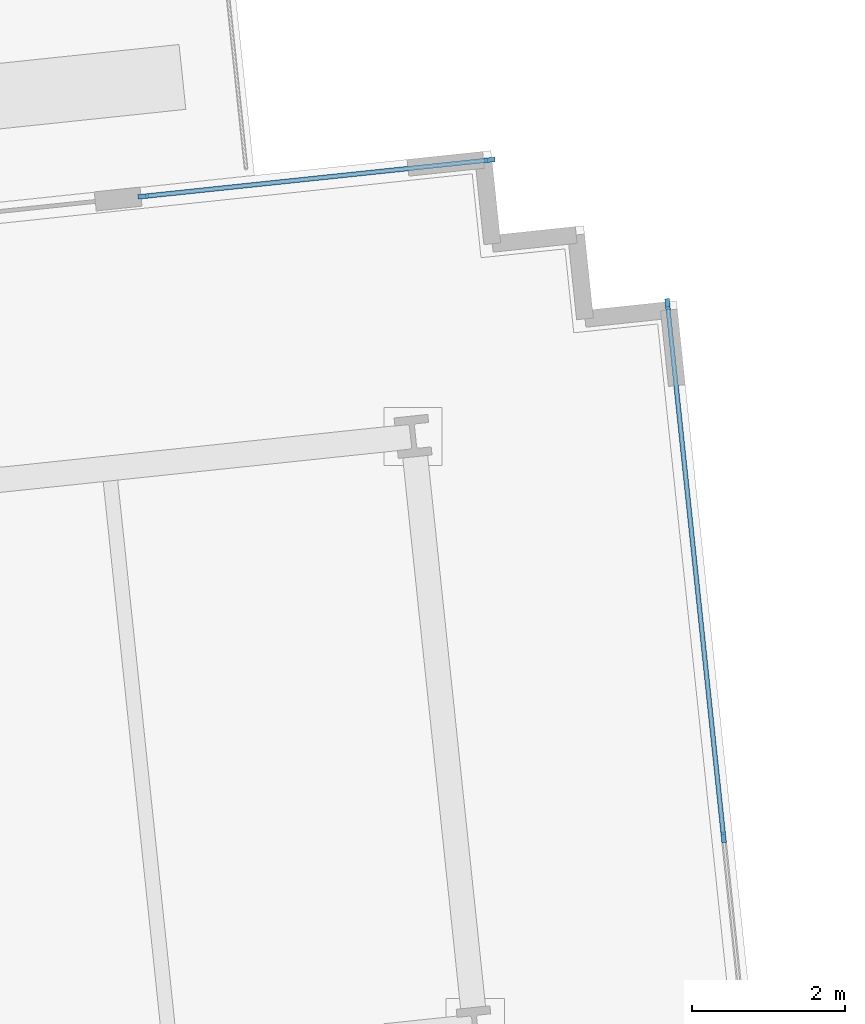
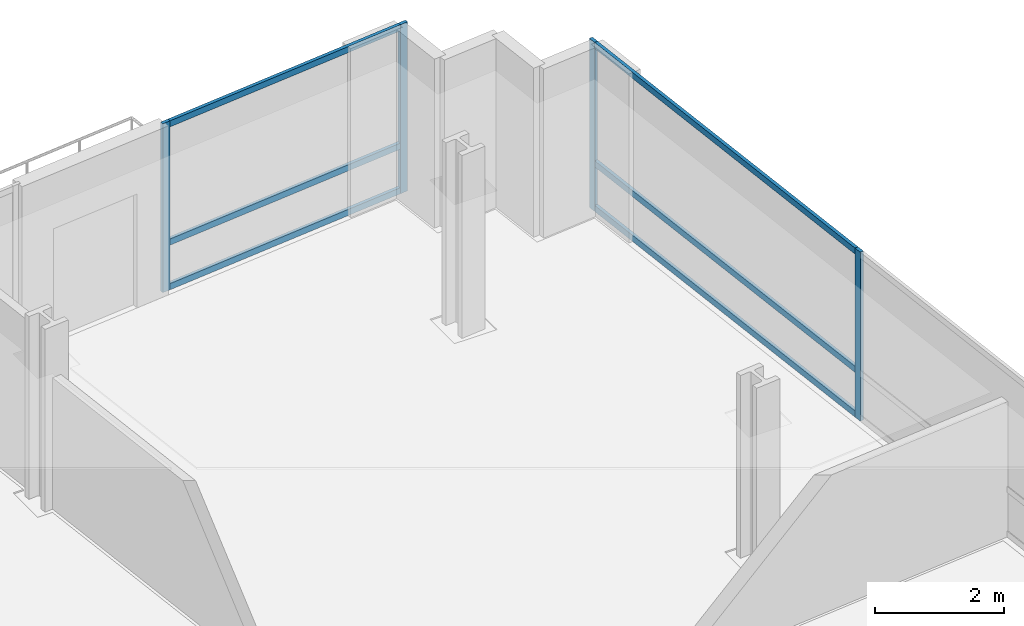
# One storey, part 11 of 21: 10 members, 2 elements without a shape of their own.
"""IFC4 building model written with IfcOpenShell, lengths in metres."""

from ifc_helpers import new_model, si_unit, direction, frame, origin, origin_2d, place, context, subcontext, project, spatial, rectangle, extrude, material, material_profile, profile_set, type_object, element, aggregate, save


model = new_model("IFC4")

# Units and contexts
model_context = context("Model", 3, precision=1e-05, world=origin(), true_north=direction((0.0, 1.0)))
body_context = subcontext(model_context, "Body", "Model", "MODEL_VIEW")
ifc_project = project(units=[si_unit("LENGTHUNIT", "METRE"), si_unit("AREAUNIT", "SQUARE_METRE"), si_unit("VOLUMEUNIT", "CUBIC_METRE"), si_unit("PLANEANGLEUNIT", "RADIAN"), si_unit("MASSUNIT", "GRAM", prefix="KILO")], contexts=[model_context])

# Site, building, storey
site_placement = place(None, origin())
site = spatial("IfcSite", under=ifc_project, at=site_placement, CompositionType="ELEMENT")
building_placement = place(site_placement, origin())
building = spatial("IfcBuilding", under=site, at=building_placement, Name="Solmavex Isthmus Hotel", CompositionType="ELEMENT")
storey_placement = place(building_placement, frame((0.0, 0.0, 106.35009765625)))
storey = spatial("IfcBuildingStorey", under=building, at=storey_placement, Name="L28", CompositionType="ELEMENT", Elevation=106.35009765625)

# Curtain wall, members
ifc_material = material(Name="Aluminium alloy 6063-T6", Category="aluminium")
curtain_wall_type = type_object("IfcCurtainWallType", Name="CW-SYS-06", PredefinedType="NOTDEFINED", material=ifc_material)
curtain_wall_1_placement = place(storey_placement, origin())
curtain_wall_1 = element("IfcCurtainWall", 1, at=curtain_wall_1_placement, inside=storey, type_object=curtain_wall_type, Name="Stick Curtain Wall CWL-L28-N4", PredefinedType="NOTDEFINED")
ifc_material_profile_1 = material_profile(ifc_material, rectangle(XDim=0.06005859375, YDim=0.139892578125, at=origin_2d()), Name="CWM-60X140")
ifc_profile_set_1 = profile_set([ifc_material_profile_1], Name="Aluminium alloy 6063-T6")
member_type_1 = type_object("IfcMemberType", Name="CW-SYS-06-MUL", PredefinedType="MULLION", material=ifc_profile_set_1)
member_1_placement = place(storey_placement, frame((24.1591796875, 23.59375, 0.0), z_axis=(0.0, 0.0, 1.0), x_axis=(-0.104528279328, 0.994521914701, 0.0)))
member_1 = element("IfcMember", 2, at=member_1_placement, type_object=member_type_1, Name="CW-06 mullion 1", PredefinedType="MULLION", context=body_context, shape_type="SweptSolid", body=[
    extrude(rectangle(XDim=0.06005859375, YDim=0.139892578125, at=origin_2d()), origin(), (0.0, 0.0, 1.0), 3.18994140625),
])
member_2_placement = place(storey_placement, frame((28.67431640625, 24.068359375, 0.0), z_axis=(0.0, 0.0, 1.0), x_axis=(-0.104528279328, 0.994521914701, 0.0)))
member_2 = element("IfcMember", 3, at=member_2_placement, type_object=member_type_1, Name="CW-06 mullion 2", PredefinedType="MULLION", context=body_context, shape_type="SweptSolid", body=[
    extrude(rectangle(XDim=0.06005859375, YDim=0.139892578125, at=origin_2d()), origin(), (0.0, 0.0, 1.0), 3.18994140625),
])

curtain_wall_2_placement = place(storey_placement, origin())
curtain_wall_2 = element("IfcCurtainWall", 4, at=curtain_wall_2_placement, inside=storey, type_object=curtain_wall_type, Name="Stick Curtain Wall CWL-L28-E1", PredefinedType="NOTDEFINED")
member_3_placement = place(storey_placement, frame((31.723876953125, 15.23876953125, 0.0), z_axis=(0.0, 0.0, 1.0), x_axis=(-0.994521893044, -0.104528485381, 0.0)))
member_3 = element("IfcMember", 5, at=member_3_placement, type_object=member_type_1, Name="CW-06 mullion 5", PredefinedType="MULLION", context=body_context, shape_type="SweptSolid", body=[
    extrude(rectangle(XDim=0.06005859375, YDim=0.139892578125, at=origin_2d()), origin(), (0.0, 0.0, 1.0), 3.18994140625),
])
member_4_placement = place(storey_placement, frame((30.9931640625, 22.1904296875, 0.0), z_axis=(0.0, 0.0, 1.0), x_axis=(-0.994521893044, -0.104528485381, 0.0)))
member_4 = element("IfcMember", 6, at=member_4_placement, type_object=member_type_1, Name="CW-06 mullion 6", PredefinedType="MULLION", context=body_context, shape_type="SweptSolid", body=[
    extrude(rectangle(XDim=0.06005859375, YDim=0.139892578125, at=origin_2d()), origin(), (0.0, 0.0, 1.0), 3.18994140625),
])

# Member
ifc_material_profile_2 = material_profile(ifc_material, rectangle(XDim=0.06005859375, YDim=0.114990234375, at=origin_2d()), Name="CWT-60X115")
ifc_profile_set_2 = profile_set([ifc_material_profile_2], Name="Aluminium alloy 6063-T6")
member_type_2 = type_object("IfcMemberType", Name="CW-SYS-06-TRN", PredefinedType="USERDEFINED", material=ifc_profile_set_2)
member_5_placement = place(storey_placement, frame((24.18896484375, 23.596923828125, 0.057373046875), z_axis=(0.994522162708, 0.104525919671, 0.0), x_axis=(-0.104525919671, 0.994522162708, 0.0)))
member_5 = element("IfcMember", 7, at=member_5_placement, type_object=member_type_2, Name="CW-06 transom 1.1", ObjectType="TRANSOM", PredefinedType="USERDEFINED", context=body_context, shape_type="SweptSolid", body=[
    extrude(rectangle(XDim=0.06005859375, YDim=0.114990234375, at=origin_2d()), origin(), (0.0, 0.0, 1.0), 4.47998046875),
])

member_6_placement = place(storey_placement, frame((24.18896484375, 23.596923828125, 0.89990234375), z_axis=(0.994522162708, 0.104525919671, 0.0), x_axis=(-0.104525919671, 0.994522162708, 0.0)))
member_6 = element("IfcMember", 8, at=member_6_placement, type_object=member_type_2, Name="CW-06 transom 1.2", ObjectType="TRANSOM", PredefinedType="USERDEFINED", context=body_context, shape_type="SweptSolid", body=[
    extrude(rectangle(XDim=0.06005859375, YDim=0.114990234375, at=origin_2d()), origin(), (0.0, 0.0, 1.0), 4.47998046875),
])

member_7_placement = place(storey_placement, frame((24.18896484375, 23.596923828125, 3.13232421875), z_axis=(0.994522162708, 0.104525919671, 0.0), x_axis=(-0.104525919671, 0.994522162708, 0.0)))
member_7 = element("IfcMember", 9, at=member_7_placement, type_object=member_type_2, Name="CW-06 transom 1.3", ObjectType="TRANSOM", PredefinedType="USERDEFINED", context=body_context, shape_type="SweptSolid", body=[
    extrude(rectangle(XDim=0.06005859375, YDim=0.114990234375, at=origin_2d()), origin(), (0.0, 0.0, 1.0), 4.47998046875),
])

aggregate(curtain_wall_1, [member_1, member_2, member_5, member_6, member_7])

member_8_placement = place(storey_placement, frame((31.720703125, 15.2685546875, 0.057373046875), z_axis=(-0.10452523802, 0.99452223435, 0.0), x_axis=(-0.99452223435, -0.10452523802, 0.0)))
member_8 = element("IfcMember", 10, at=member_8_placement, type_object=member_type_2, Name="CW-06 transom 5.1", ObjectType="TRANSOM", PredefinedType="USERDEFINED", context=body_context, shape_type="SweptSolid", body=[
    extrude(rectangle(XDim=0.06005859375, YDim=0.114990234375, at=origin_2d()), origin(), (0.0, 0.0, 1.0), 6.929931640625),
])

member_9_placement = place(storey_placement, frame((31.720703125, 15.2685546875, 0.89990234375), z_axis=(-0.10452523802, 0.99452223435, 0.0), x_axis=(-0.99452223435, -0.10452523802, 0.0)))
member_9 = element("IfcMember", 11, at=member_9_placement, type_object=member_type_2, Name="CW-06 transom 5.2", ObjectType="TRANSOM", PredefinedType="USERDEFINED", context=body_context, shape_type="SweptSolid", body=[
    extrude(rectangle(XDim=0.06005859375, YDim=0.114990234375, at=origin_2d()), origin(), (0.0, 0.0, 1.0), 6.929931640625),
])

member_10_placement = place(storey_placement, frame((31.720703125, 15.2685546875, 3.13232421875), z_axis=(-0.10452523802, 0.99452223435, 0.0), x_axis=(-0.99452223435, -0.10452523802, 0.0)))
member_10 = element("IfcMember", 12, at=member_10_placement, type_object=member_type_2, Name="CW-06 transom 5.3", ObjectType="TRANSOM", PredefinedType="USERDEFINED", context=body_context, shape_type="SweptSolid", body=[
    extrude(rectangle(XDim=0.06005859375, YDim=0.114990234375, at=origin_2d()), origin(), (0.0, 0.0, 1.0), 6.929931640625),
])

aggregate(curtain_wall_2, [member_3, member_4, member_8, member_9, member_10])

save(model, "model.ifc")
